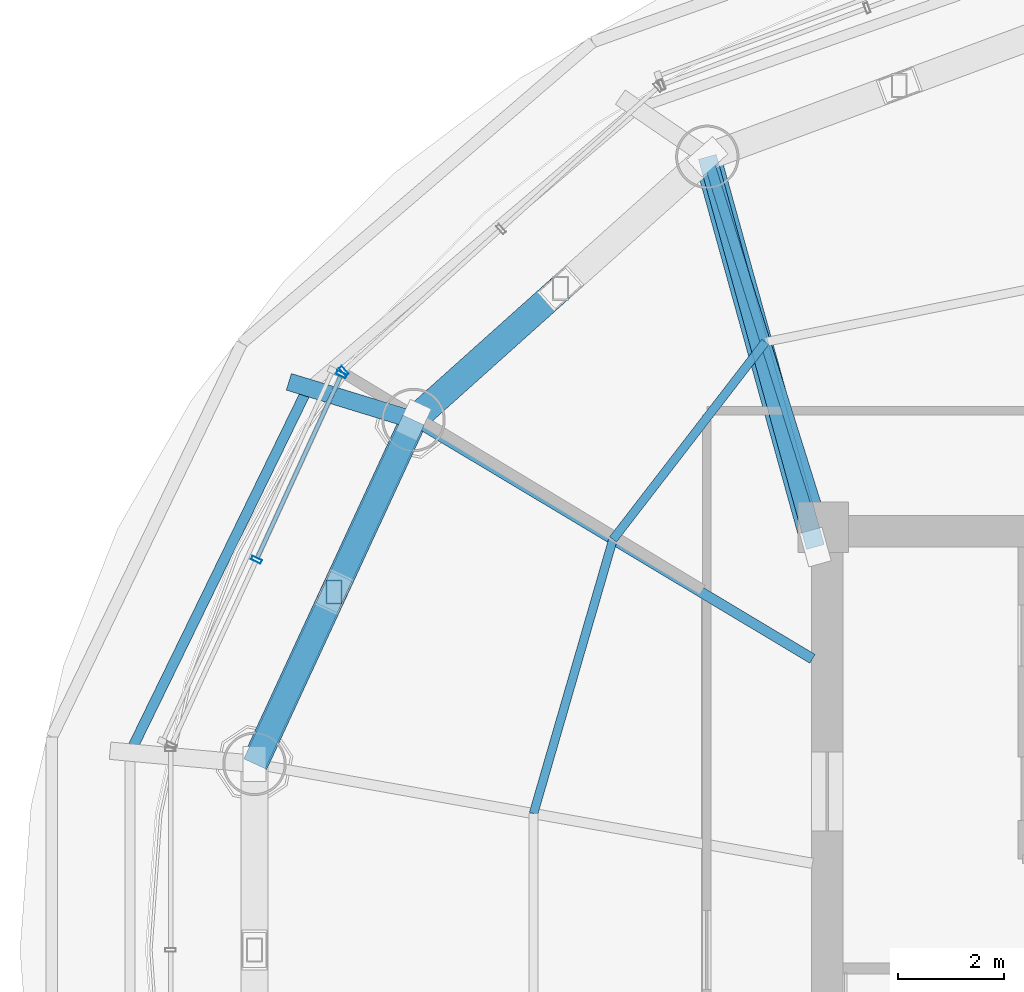
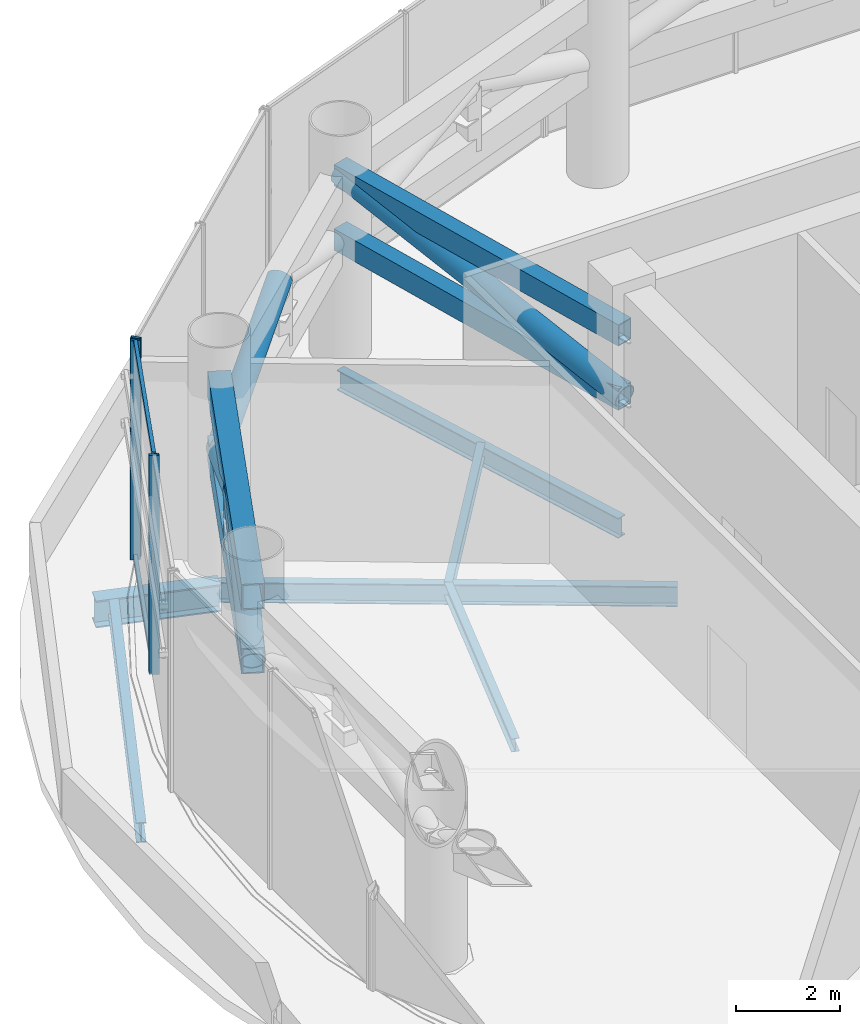
# One storey, part 8 of 25: 14 members, 6 beams, 2 elements without a shape of their own.
"""IFC4 building model written with IfcOpenShell, lengths in metres."""

from ifc_helpers import new_model, si_unit, direction, frame, origin, origin_2d, place, context, subcontext, project, spatial, hollow_rectangle, hollow_circle, i_section, extrude, source, transform, mapped, material, material_profile, profile_set, type_object, element, aggregate, save


model = new_model("IFC4")

# Units and contexts
model_context = context("Model", 3, precision=1e-05, world=origin(), true_north=direction((-0.2419218956, 0.970295726276)))
body_context = subcontext(model_context, "Body", "Model", "MODEL_VIEW")
ifc_project = project(units=[si_unit("LENGTHUNIT", "METRE"), si_unit("AREAUNIT", "SQUARE_METRE"), si_unit("VOLUMEUNIT", "CUBIC_METRE"), si_unit("PLANEANGLEUNIT", "RADIAN"), si_unit("MASSUNIT", "GRAM", prefix="KILO")], contexts=[model_context])

# Site, building, storey
site_placement = place(None, origin())
site = spatial("IfcSite", under=ifc_project, at=site_placement, CompositionType="ELEMENT")
building_placement = place(site_placement, origin())
building = spatial("IfcBuilding", under=site, at=building_placement, Name="Cobrevalo Terracotta Tower", CompositionType="ELEMENT")
storey_placement = place(building_placement, frame((0.0, 0.0, 185.800048828125)))
storey = spatial("IfcBuildingStorey", under=building, at=storey_placement, Name="L49", CompositionType="ELEMENT", Elevation=185.800048828125)

# Beams
ifc_material_1 = material(Name="Steel S355", Category="steel")
ifc_material_profile_1 = material_profile(ifc_material_1, i_section(OverallWidth=0.194091796875, OverallDepth=0.468994140625, WebThickness=0.011474609375, FlangeThickness=0.0205078125, at=origin_2d()), Name="W 460x106")
ifc_profile_set_1 = profile_set([ifc_material_profile_1], Name="Steel S355")
beam_type_1 = type_object("IfcBeamType", Name="Structural Beam W 460x106 (Steel S355)", PredefinedType="BEAM", material=ifc_profile_set_1)
beam_1_placement = place(storey_placement, frame((26.80517578125, 41.80810546875, -0.6845703125), z_axis=(0.298871212691, -0.954293454984, 0.0), x_axis=(0.954293454984, 0.298871212691, 0.0)))
element("IfcBeam", 1, at=beam_1_placement, inside=storey, type_object=beam_type_1, Name="L49 radial floor girder 06", PredefinedType="BEAM", context=body_context, shape_type="SweptSolid", body=[
    extrude(i_section(OverallWidth=0.194091796875, OverallDepth=0.468994140625, WebThickness=0.011474609375, FlangeThickness=0.0205078125, at=origin_2d()), origin(), (0.0, 0.0, 1.0), 7.34375),
])
beam_2_placement = place(storey_placement, frame((21.245849609375, 36.828125, -0.6845703125), z_axis=(0.858038452613, -0.513585449402, 0.0), x_axis=(0.513585449402, 0.858038452613, 0.0)))
element("IfcBeam", 2, at=beam_2_placement, inside=storey, type_object=beam_type_1, Name="L49 radial floor girder 07", PredefinedType="BEAM", context=body_context, shape_type="SweptSolid", body=[
    extrude(i_section(OverallWidth=0.194091796875, OverallDepth=0.468994140625, WebThickness=0.011474609375, FlangeThickness=0.0205078125, at=origin_2d()), origin(), (0.0, 0.0, 1.0), 8.798095703125),
])
ifc_material_profile_2 = material_profile(ifc_material_1, i_section(OverallWidth=0.3291015625, OverallDepth=0.635009765625, WebThickness=0.017822265625, FlangeThickness=0.031005859375, at=origin_2d()), Name="W 610x241")
ifc_profile_set_2 = profile_set([ifc_material_profile_2], Name="Steel S355")
beam_type_2 = type_object("IfcBeamType", Name="Structural Beam W 610x241 (Steel S355)", PredefinedType="BEAM", material=ifc_profile_set_2)
beam_3_placement = place(storey_placement, frame((18.886962890625, 37.550537109375, -0.767578125), z_axis=(0.956165466877, -0.292826911249, 0.0), x_axis=(0.292826911249, 0.956165466877, 0.0)))
element("IfcBeam", 3, at=beam_3_placement, inside=storey, type_object=beam_type_2, Name="L49 setback step-link girder 07", PredefinedType="BEAM", context=body_context, shape_type="SweptSolid", body=[
    extrude(i_section(OverallWidth=0.3291015625, OverallDepth=0.635009765625, WebThickness=0.017822265625, FlangeThickness=0.031005859375, at=origin_2d()), origin(), (0.0, 0.0, 1.0), 2.467041015625),
])
ifc_material_profile_3 = material_profile(ifc_material_1, i_section(OverallWidth=0.1650390625, OverallDepth=0.31005859375, WebThickness=0.005859375, FlangeThickness=0.009765625, at=origin_2d()), Name="W 310x38.7")
ifc_profile_set_3 = profile_set([ifc_material_profile_3], Name="Steel S355")
beam_type_3 = type_object("IfcBeamType", Name="Structural Joist W 310x38.7 (Steel S355)", PredefinedType="JOIST", material=ifc_profile_set_3)
beam_4_placement = place(storey_placement, frame((27.902587890625, 38.303955078125, -0.60498046875), z_axis=(-0.610897996635, -0.791709313894, 0.0), x_axis=(0.791709313894, -0.610897996635, 0.0)))
element("IfcBeam", 4, at=beam_4_placement, inside=storey, type_object=beam_type_3, Name="L49 circumferential secondary floor joist 06", PredefinedType="JOIST", context=body_context, shape_type="SweptSolid", body=[
    extrude(i_section(OverallWidth=0.1650390625, OverallDepth=0.31005859375, WebThickness=0.005859375, FlangeThickness=0.009765625, at=origin_2d()), origin(), (0.0, 0.0, 1.0), 4.7177734375),
])
beam_5_placement = place(storey_placement, frame((25.0205078125, 34.56884765625, -0.60498046875), z_axis=(-0.278503604802, -0.960435183712, 0.0), x_axis=(0.960435183712, -0.278503604802, 0.0)))
element("IfcBeam", 5, at=beam_5_placement, inside=storey, type_object=beam_type_3, Name="L49 circumferential secondary floor joist 07", PredefinedType="JOIST", context=body_context, shape_type="SweptSolid", body=[
    extrude(i_section(OverallWidth=0.1650390625, OverallDepth=0.31005859375, WebThickness=0.005859375, FlangeThickness=0.009765625, at=origin_2d()), origin(), (0.0, 0.0, 1.0), 5.401611328125),
])
ifc_material_profile_4 = material_profile(ifc_material_1, i_section(OverallWidth=0.194091796875, OverallDepth=0.468994140625, WebThickness=0.011474609375, FlangeThickness=0.0205078125, at=origin_2d()), Name="W 460x106")
ifc_profile_set_4 = profile_set([ifc_material_profile_4], Name="Steel S355")
beam_type_4 = type_object("IfcBeamType", Name="Structural Spandrel W 460x106 (Steel S355)", PredefinedType="SPANDREL", material=ifc_profile_set_4)
beam_6_placement = place(storey_placement, frame((19.250244140625, 37.439208984375, -0.6845703125), z_axis=(-0.438367894028, -0.89879563277, 0.0), x_axis=(0.89879563277, -0.438367894028, 0.0)))
element("IfcBeam", 6, at=beam_6_placement, inside=storey, type_object=beam_type_4, Name="L49 perimeter ring spandrel 07", PredefinedType="SPANDREL", context=body_context, shape_type="SweptSolid", body=[
    extrude(i_section(OverallWidth=0.194091796875, OverallDepth=0.468994140625, WebThickness=0.011474609375, FlangeThickness=0.0205078125, at=origin_2d()), origin(), (0.0, 0.0, 1.0), 7.6806640625),
])

# Members
ifc_material_profile_5 = material_profile(ifc_material_1, hollow_rectangle(XDim=0.449951171875, YDim=0.60009765625, WallThickness=0.028076171875, at=origin_2d()), Name="RHS 600x450x28")
ifc_profile_set_5 = profile_set([ifc_material_profile_5], Name="Steel S355")
member_type_1 = type_object("IfcMemberType", Name="Steel Chord RHS 600x450x28 (Steel S355)", PredefinedType="CHORD", material=ifc_profile_set_5)
shared_shape_1 = source(origin(), body_context, "Body", "SweptSolid", [
    extrude(hollow_rectangle(XDim=0.449951171875, YDim=0.60009765625, WallThickness=0.028076171875, at=origin_2d()), origin(), (0.0, 0.0, 1.0), 7.168701171875),
])
for number, where, z_axis, x_axis, name in (
    (7, (21.245849609375, 36.828125, 2.64990234375), (-0.419705965131, -0.907660125176, 0.0), (0.907660125176, -0.419705965131, 0.0), "L49 belt truss chord 07-BC"),
    (8, (21.245849609375, 36.828125, 4.155029296875), (-0.419705965131, -0.907660125176, 0.0), (0.907660125176, -0.419705965131, 0.0), "L49 belt truss chord 07-TC"),
):
    element("IfcMember", number, at=place(storey_placement, frame(where, z_axis=z_axis, x_axis=x_axis)), inside=storey, type_object=member_type_1, Name=name, PredefinedType="CHORD", context=body_context, shape_type="MappedRepresentation", body=[
        mapped(shared_shape_1, transform((0.0, 0.0, 0.0), scale=1.0)),
    ])
ifc_material_profile_6 = material_profile(ifc_material_1, hollow_rectangle(XDim=0.300048828125, YDim=0.449951171875, WallThickness=0.02001953125, at=origin_2d()), Name="RHS 450x300x20")
ifc_profile_set_6 = profile_set([ifc_material_profile_6], Name="Steel S355")
member_type_2 = type_object("IfcMemberType", Name="Steel Post RHS 450x300x20 (Steel S355)", PredefinedType="POST", material=ifc_profile_set_6)
shared_shape_2 = source(origin(), body_context, "Body", "SweptSolid", [
    extrude(hollow_rectangle(XDim=0.300048828125, YDim=0.449951171875, WallThickness=0.02001953125, at=origin_2d()), origin(), (0.0, 0.0, 1.0), 1.505126953125),
])
member_1_placement = place(storey_placement, frame((19.741455078125, 33.57470703125, 2.64990234375), z_axis=(0.0, 0.0, 1.0), x_axis=(1.0, 0.0, 0.0)))
element("IfcMember", 9, at=member_1_placement, inside=storey, type_object=member_type_2, Name="L49 belt truss post 07", PredefinedType="POST", context=body_context, shape_type="MappedRepresentation", body=[
    mapped(shared_shape_2, transform((0.0, 0.0, 0.0), scale=1.0)),
])
ifc_material_profile_7 = material_profile(ifc_material_1, hollow_circle(Radius=0.25390625, WallThickness=0.02001953125, at=origin_2d()), Name="CHS 508x20")
ifc_profile_set_7 = profile_set([ifc_material_profile_7], Name="Steel S355")
member_type_3 = type_object("IfcMemberType", Name="Steel Brace CHS 508x20 (Steel S355)", PredefinedType="BRACE", material=ifc_profile_set_7)
shared_shape_3 = source(origin(), body_context, "Body", "SweptSolid", [
    extrude(hollow_circle(Radius=0.25390625, WallThickness=0.02001953125, at=origin_2d()), origin(), (0.0, 0.0, 1.0), 3.8876953125),
])
for number, where, z_axis, x_axis, name in (
    (10, (21.245849609375, 36.828125, 2.64990234375), (-0.386973780964, -0.836873191355, 0.387162181052), (0.907660125176, -0.419705965131, 0.0), "L49 belt truss diagonal brace 07-D1"),
    (11, (18.237060546875, 30.3212890625, 2.64990234375), (0.386973780964, 0.836873191355, 0.387162181052), (-0.907660125176, 0.419705965131, 0.0), "L49 belt truss diagonal brace 07-D2"),
):
    element("IfcMember", number, at=place(storey_placement, frame(where, z_axis=z_axis, x_axis=x_axis)), inside=storey, type_object=member_type_3, Name=name, PredefinedType="BRACE", context=body_context, shape_type="MappedRepresentation", body=[
        mapped(shared_shape_3, transform((0.0, 0.0, 0.0), scale=1.0)),
    ])
shared_shape_4 = source(origin(), body_context, "Body", "SweptSolid", [
    extrude(hollow_circle(Radius=0.25390625, WallThickness=0.02001953125, at=origin_2d()), origin(), (0.0, 0.0, 1.0), 4.02392578125),
])
member_2_placement = place(storey_placement, frame((21.245849609375, 36.828125, 2.64990234375), z_axis=(0.690799602497, 0.618783167563, 0.374036496522), x_axis=(-0.667213539671, 0.744866493057, 0.0)))
element("IfcMember", 12, at=member_2_placement, inside=storey, type_object=member_type_3, Name="L49 belt truss diagonal brace 06-D2", PredefinedType="BRACE", context=body_context, shape_type="MappedRepresentation", body=[
    mapped(shared_shape_4, transform((0.0, 0.0, 0.0), scale=1.0)),
])
ifc_material_profile_8 = material_profile(ifc_material_1, hollow_rectangle(XDim=0.35009765625, YDim=0.5, WallThickness=0.02197265625, at=origin_2d()), Name="RHS 500x350x22")
ifc_profile_set_8 = profile_set([ifc_material_profile_8], Name="Steel S355")
member_type_4 = type_object("IfcMemberType", Name="Steel Chord RHS 500x350x22 (Steel S355)", PredefinedType="CHORD", material=ifc_profile_set_8)
shared_shape_5 = source(origin(), body_context, "Body", "SweptSolid", [
    extrude(hollow_rectangle(XDim=0.35009765625, YDim=0.5, WallThickness=0.02197265625, at=origin_2d()), origin(), (0.0, 0.0, 1.0), 7.6611328125),
])
for number, where, z_axis, x_axis, name in (
    (13, (28.85009765625, 34.425048828125, 2.64990234375), (-0.266925528962, 0.963717158708, 0.0), (-0.963717158708, -0.266925528962, 0.0), "L49 radial outrigger bottom chord 2"),
    (14, (28.85009765625, 34.425048828125, 4.155029296875), (-0.266925528962, 0.963717158708, 0.0), (-0.963717158708, -0.266925528962, 0.0), "L49 radial outrigger top chord 2"),
):
    element("IfcMember", number, at=place(storey_placement, frame(where, z_axis=z_axis, x_axis=x_axis)), inside=storey, type_object=member_type_4, Name=name, PredefinedType="CHORD", context=body_context, shape_type="MappedRepresentation", body=[
        mapped(shared_shape_5, transform((0.0, 0.0, 0.0), scale=1.0)),
    ])
shared_shape_6 = source(origin(), body_context, "Body", "SweptSolid", [
    extrude(hollow_circle(Radius=0.25390625, WallThickness=0.02001953125, at=origin_2d()), origin(), (0.0, 0.0, 1.0), 7.807373046875),
])
member_3_placement = place(storey_placement, frame((28.85009765625, 34.425048828125, 2.64990234375), z_axis=(-0.261918525891, 0.945639701705, 0.192780290368), x_axis=(-0.963717158708, -0.266925528962, 0.0)))
element("IfcMember", 15, at=member_3_placement, inside=storey, type_object=member_type_3, Name="L49 radial outrigger diagonal brace 2A", PredefinedType="BRACE", context=body_context, shape_type="MappedRepresentation", body=[
    mapped(shared_shape_6, transform((0.0, 0.0, 0.0), scale=1.0)),
])

# Curtain wall, member
ifc_material_2 = material(Name="Anodized aluminium", Category="aluminium")
curtain_wall_type = type_object("IfcCurtainWallType", Name="Belt-truss plant acoustic weather-louvre curtain wall CW-LV", PredefinedType="NOTDEFINED", material=ifc_material_2)
curtain_wall_1_placement = place(storey_placement, origin())
curtain_wall_1 = element("IfcCurtainWall", 16, at=curtain_wall_1_placement, inside=storey, type_object=curtain_wall_type, Name="L49 curtain wall CW-LV-L49-S06", PredefinedType="NOTDEFINED")
ifc_material_profile_9 = material_profile(ifc_material_2, hollow_rectangle(XDim=0.074951171875, YDim=0.199951171875, WallThickness=0.0048828125, at=origin_2d()), Name="CWM 75x200")
ifc_profile_set_9 = profile_set([ifc_material_profile_9], Name="Anodized aluminium")
member_type_5 = type_object("IfcMemberType", Name="Lower/mid tower unitised mullion 75x200", PredefinedType="MULLION", material=ifc_profile_set_9)
shared_shape_7 = source(origin(), body_context, "Body", "SweptSolid", [
    extrude(hollow_rectangle(XDim=0.074951171875, YDim=0.199951171875, WallThickness=0.0048828125, at=origin_2d()), origin(), (0.0, 0.0, 1.0), 5.135009765625),
])
member_4_placement = place(storey_placement, frame((19.928466796875, 37.7548828125, 0.0), z_axis=(0.0, 0.0, 1.0), x_axis=(-0.741987542015, -0.670413668935, 0.0)))
member_4 = element("IfcMember", 17, at=member_4_placement, type_object=member_type_5, Name="CW-LV-L49-S06 vertical mullion 03", PredefinedType="MULLION", context=body_context, shape_type="MappedRepresentation", body=[
    mapped(shared_shape_7, transform((0.0, 0.0, 0.0), scale=1.0)),
])
aggregate(curtain_wall_1, [member_4])

# Curtain wall, members
curtain_wall_2_placement = place(storey_placement, origin())
curtain_wall_2 = element("IfcCurtainWall", 18, at=curtain_wall_2_placement, inside=storey, type_object=curtain_wall_type, Name="L49 curtain wall CW-LV-L49-S07", PredefinedType="NOTDEFINED")
member_5_placement = place(storey_placement, frame((19.88232421875, 37.691650390625, 0.0), z_axis=(0.0, 0.0, 1.0), x_axis=(-0.41672507912, -0.909032567311, 0.0)))
member_5 = element("IfcMember", 19, at=member_5_placement, type_object=member_type_5, Name="CW-LV-L49-S07 vertical mullion 01", PredefinedType="MULLION", context=body_context, shape_type="MappedRepresentation", body=[
    mapped(shared_shape_7, transform((0.0, 0.0, 0.0), scale=1.0)),
])
member_6_placement = place(storey_placement, frame((18.273681640625, 34.182861328125, 0.0), z_axis=(0.0, 0.0, 1.0), x_axis=(-0.41672507912, -0.909032567311, 0.0)))
member_6 = element("IfcMember", 20, at=member_6_placement, type_object=member_type_5, Name="CW-LV-L49-S07 vertical mullion 02", PredefinedType="MULLION", context=body_context, shape_type="MappedRepresentation", body=[
    mapped(shared_shape_7, transform((0.0, 0.0, 0.0), scale=1.0)),
])
ifc_material_profile_10 = material_profile(ifc_material_2, hollow_rectangle(XDim=0.074951171875, YDim=0.14990234375, WallThickness=0.00439453125, at=origin_2d()), Name="CWT 75x150")
ifc_profile_set_10 = profile_set([ifc_material_profile_10], Name="Anodized aluminium")
member_type_6 = type_object("IfcMemberType", Name="Tower unitised aluminium transom 75x150", PredefinedType="USERDEFINED", material=ifc_profile_set_10)
shared_shape_8 = source(origin(), body_context, "Body", "SweptSolid", [
    extrude(hollow_rectangle(XDim=0.074951171875, YDim=0.14990234375, WallThickness=0.00439453125, at=origin_2d()), origin(), (0.0, 0.0, 1.0), 3.780029296875),
])
member_7_placement = place(storey_placement, frame((19.865478515625, 37.6552734375, 0.050048828125), z_axis=(-0.416705859352, -0.909041377926, 0.0), x_axis=(0.909041377926, -0.416705859352, 0.0)))
member_7 = element("IfcMember", 21, at=member_7_placement, type_object=member_type_6, Name="CW-LV-L49-S07 transom B01-T1", ObjectType="TRANSOM", PredefinedType="USERDEFINED", context=body_context, shape_type="MappedRepresentation", body=[
    mapped(shared_shape_8, transform((0.0, 0.0, 0.0), scale=1.0)),
])
member_8_placement = place(storey_placement, frame((19.865478515625, 37.6552734375, 5.0849609375), z_axis=(-0.416705859352, -0.909041377926, 0.0), x_axis=(0.909041377926, -0.416705859352, 0.0)))
member_8 = element("IfcMember", 22, at=member_8_placement, type_object=member_type_6, Name="CW-LV-L49-S07 transom B01-T2", ObjectType="TRANSOM", PredefinedType="USERDEFINED", context=body_context, shape_type="MappedRepresentation", body=[
    mapped(shared_shape_8, transform((0.0, 0.0, 0.0), scale=1.0)),
])
aggregate(curtain_wall_2, [member_5, member_6, member_7, member_8])

save(model, "model.ifc")
